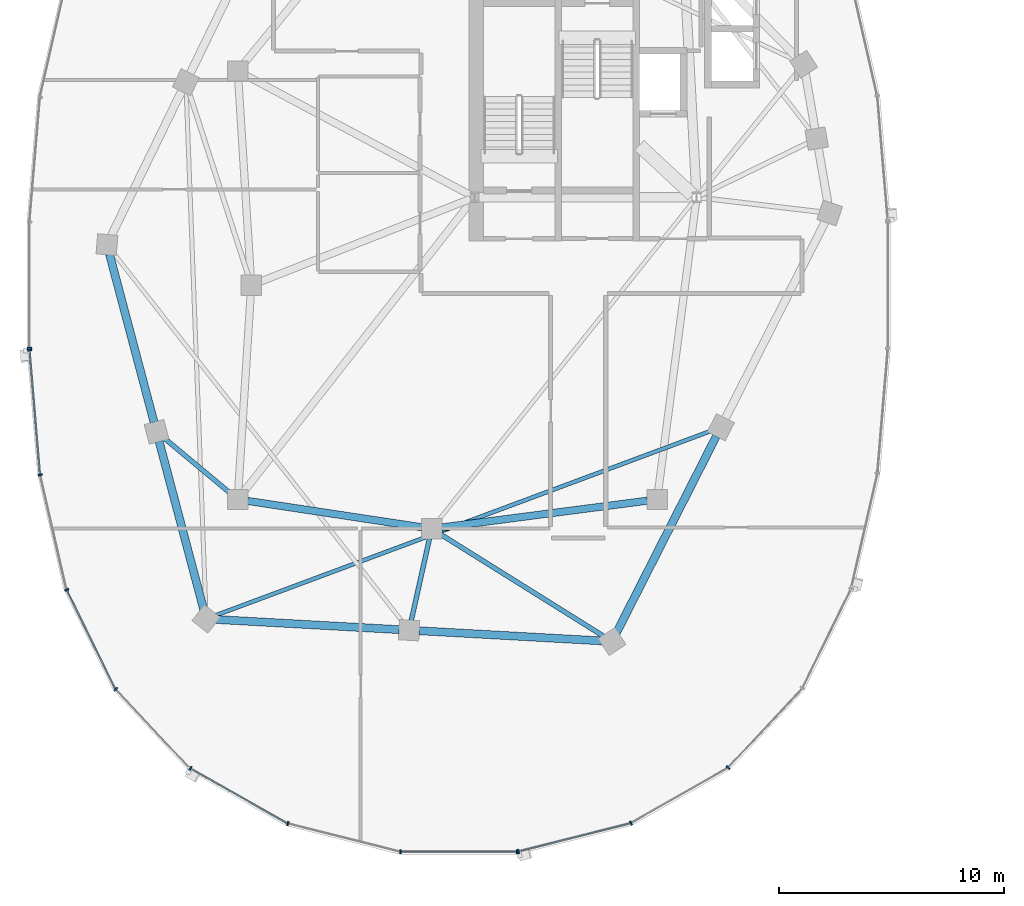
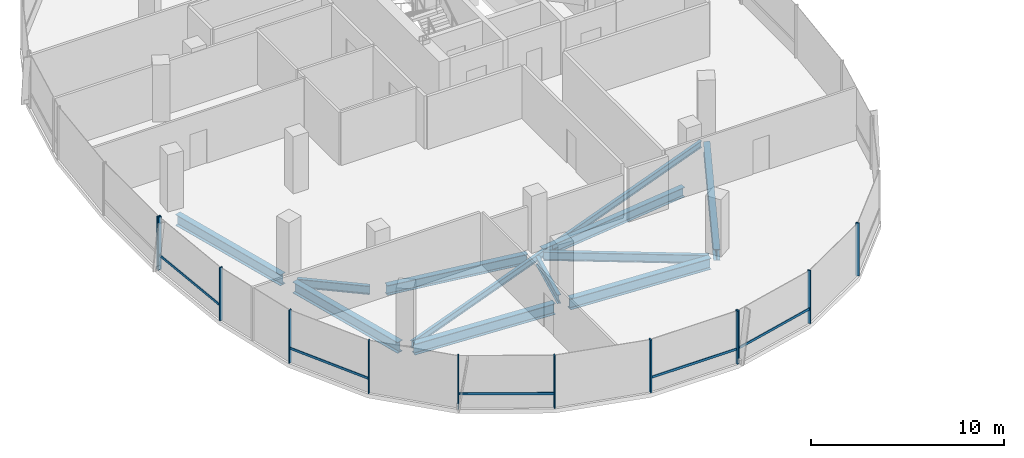
# One storey, part 3 of 25: 17 members, 11 beams, 3 elements without a shape of their own.
"""IFC4 building model written with IfcOpenShell, lengths in metres."""

from ifc_helpers import new_model, si_unit, direction, frame, origin, origin_2d, place, context, subcontext, project, spatial, rectangle, i_section, extrude, material, material_profile, profile_set, type_object, element, aggregate, save


model = new_model("IFC4")

# Units and contexts
model_context = context("Model", 3, precision=1e-05, world=origin(), true_north=direction((0.0, 1.0)))
body_context = subcontext(model_context, "Body", "Model", "MODEL_VIEW")
ifc_project = project(units=[si_unit("LENGTHUNIT", "METRE"), si_unit("AREAUNIT", "SQUARE_METRE"), si_unit("VOLUMEUNIT", "CUBIC_METRE"), si_unit("PLANEANGLEUNIT", "RADIAN"), si_unit("MASSUNIT", "GRAM", prefix="KILO"), si_unit("THERMODYNAMICTEMPERATUREUNIT", "KELVIN"), si_unit("POWERUNIT", "WATT")], contexts=[model_context])

# Site, building, storey
site_placement = place(None, origin())
site = spatial("IfcSite", under=ifc_project, at=site_placement, CompositionType="ELEMENT")
building_placement = place(site_placement, origin())
building = spatial("IfcBuilding", under=site, at=building_placement, Name="Cundina Bronze Exchange", CompositionType="ELEMENT")
storey_placement = place(building_placement, frame((0.0, 0.0, 213.39990234375)))
storey = spatial("IfcBuildingStorey", under=building, at=storey_placement, Name="L56", CompositionType="ELEMENT", Elevation=213.39990234375)

# Beams
ifc_material_1 = material(Name="Steel ASTM A992 Grade 50", Category="steel")
ifc_material_profile_1 = material_profile(ifc_material_1, i_section(OverallWidth=0.2119140625, OverallDepth=0.5439453125, WebThickness=0.01318359375, FlangeThickness=0.021240234375, FilletRadius=0.013916015625, at=origin_2d()), Name="W21X83", Category="steel")
ifc_profile_set_1 = profile_set([ifc_material_profile_1], Name="Steel ASTM A992 Grade 50")
beam_type_1 = type_object("IfcBeamType", Name="BM-FLR-W21A", PredefinedType="BEAM", material=ifc_profile_set_1)
beam_1_placement = place(storey_placement, frame((-42.136474609375, -9.219482421875, -0.531982421875), z_axis=(-0.768247540987, 0.640152884683, 0.0), x_axis=(-0.640152884683, -0.768247540987, 0.0)))
element("IfcBeam", 1, at=beam_1_placement, inside=storey, type_object=beam_type_1, Name="L56 Leg W Radial Floor Beam 09", PredefinedType="BEAM", context=body_context, shape_type="SweptSolid", body=[
    extrude(i_section(OverallWidth=0.2119140625, OverallDepth=0.5439453125, WebThickness=0.01318359375, FlangeThickness=0.021240234375, FilletRadius=0.013916015625, at=origin_2d()), origin(), (0.0, 0.0, 1.0), 3.81005859375),
])
beam_2_placement = place(storey_placement, frame((-33.294921875, -11.2275390625, -0.531982421875), z_axis=(-0.216958151571, -0.976180905605, 0.0), x_axis=(0.976180905605, -0.216958151571, 0.0)))
element("IfcBeam", 2, at=beam_2_placement, inside=storey, type_object=beam_type_1, Name="L56 Leg W Radial Floor Beam 11", PredefinedType="BEAM", context=body_context, shape_type="SweptSolid", body=[
    extrude(i_section(OverallWidth=0.2119140625, OverallDepth=0.5439453125, WebThickness=0.01318359375, FlangeThickness=0.021240234375, FilletRadius=0.013916015625, at=origin_2d()), origin(), (0.0, 0.0, 1.0), 3.733642578125),
])
beam_3_placement = place(storey_placement, frame((-32.82861328125, -11.031982421875, -0.531982421875), z_axis=(0.847995098703, -0.530004068452, 0.0), x_axis=(0.530004068452, 0.847995098703, 0.0)))
element("IfcBeam", 3, at=beam_3_placement, inside=storey, type_object=beam_type_1, Name="L56 Leg W Radial Floor Beam 12", PredefinedType="BEAM", context=body_context, shape_type="SweptSolid", body=[
    extrude(i_section(OverallWidth=0.2119140625, OverallDepth=0.5439453125, WebThickness=0.01318359375, FlangeThickness=0.021240234375, FilletRadius=0.013916015625, at=origin_2d()), origin(), (0.0, 0.0, 1.0), 8.55810546875),
])
ifc_material_profile_2 = material_profile(ifc_material_1, i_section(OverallWidth=0.178955078125, OverallDepth=0.409912109375, WebThickness=0.0087890625, FlangeThickness=0.014404296875, FilletRadius=0.010986328125, at=origin_2d()), Name="W16X45", Category="steel")
ifc_profile_set_2 = profile_set([ifc_material_profile_2], Name="Steel ASTM A992 Grade 50")
beam_type_2 = type_object("IfcBeamType", Name="BM-JST-W16", PredefinedType="JOIST", material=ifc_profile_set_2)
beam_4_placement = place(storey_placement, frame((-42.78955078125, -14.647216796875, -0.46484375), z_axis=(0.937127927239, 0.348986028358, 0.0), x_axis=(-0.348986028358, 0.937127927239, 0.0)))
element("IfcBeam", 4, at=beam_4_placement, inside=storey, type_object=beam_type_2, Name="L56 Leg W Lobe Floor Joist 10-13", PredefinedType="JOIST", context=body_context, shape_type="SweptSolid", body=[
    extrude(i_section(OverallWidth=0.178955078125, OverallDepth=0.409912109375, WebThickness=0.0087890625, FlangeThickness=0.014404296875, FilletRadius=0.010986328125, at=origin_2d()), origin(), (0.0, 0.0, 1.0), 23.48046875),
])
ifc_material_profile_3 = material_profile(ifc_material_1, i_section(OverallWidth=0.324951171875, OverallDepth=0.615966796875, WebThickness=0.013916015625, FlangeThickness=0.021484375, FilletRadius=0.01611328125, at=origin_2d()), Name="W24X117", Category="steel")
ifc_profile_set_3 = profile_set([ifc_material_profile_3], Name="Steel ASTM A992 Grade 50")
beam_type_3 = type_object("IfcBeamType", Name="BM-RING-W24", PredefinedType="USERDEFINED", material=ifc_profile_set_3)
beam_5_placement = place(storey_placement, frame((-41.366943359375, -9.5654296875, -0.56787109375), z_axis=(0.988764903598, -0.149478979839, 0.0), x_axis=(0.149478979839, 0.988764903598, 0.0)))
element("IfcBeam", 5, at=beam_5_placement, inside=storey, type_object=beam_type_3, Name="L56 W Inner Structural Ring Girder 05", ObjectType="GIRDER", PredefinedType="USERDEFINED", context=body_context, shape_type="SweptSolid", body=[
    extrude(i_section(OverallWidth=0.324951171875, OverallDepth=0.615966796875, WebThickness=0.013916015625, FlangeThickness=0.021484375, FilletRadius=0.01611328125, at=origin_2d()), origin(), (0.0, 0.0, 1.0), 7.82177734375),
])
beam_6_placement = place(storey_placement, frame((-32.765625, -10.743408203125, -0.56787109375), z_axis=(0.991656498582, 0.128908451316, 0.0), x_axis=(-0.128908451316, 0.991656498582, 0.0)))
element("IfcBeam", 6, at=beam_6_placement, inside=storey, type_object=beam_type_3, Name="L56 W Inner Structural Ring Girder 06", ObjectType="GIRDER", PredefinedType="USERDEFINED", context=body_context, shape_type="SweptSolid", body=[
    extrude(i_section(OverallWidth=0.324951171875, OverallDepth=0.615966796875, WebThickness=0.013916015625, FlangeThickness=0.021484375, FilletRadius=0.01611328125, at=origin_2d()), origin(), (0.0, 0.0, 1.0), 9.208251953125),
])
ifc_material_profile_4 = material_profile(ifc_material_1, i_section(OverallWidth=0.35498046875, OverallDepth=0.695068359375, WebThickness=0.015380859375, FlangeThickness=0.02490234375, FilletRadius=0.01806640625, at=origin_2d()), Name="W27X146", Category="steel")
ifc_profile_set_4 = profile_set([ifc_material_profile_4], Name="Steel ASTM A992 Grade 50")
beam_type_4 = type_object("IfcBeamType", Name="BM-RING-W27", PredefinedType="USERDEFINED", material=ifc_profile_set_4)
for number, where, z_axis, x_axis, name in (
    (7, (-47.48779296875, 1.376708984375, -0.607421875), (0.256211934474, -0.966620631185, 0.0), (0.966620631185, 0.256211934474, 0.0), "L56 W Perimeter Ring Girder 08"),
    (8, (-45.287841796875, -6.92333984375, -0.607421875), (0.256211934474, -0.966620631185, 0.0), (0.966620631185, 0.256211934474, 0.0), "L56 W Perimeter Ring Girder 09"),
):
    element("IfcBeam", number, at=place(storey_placement, frame(where, z_axis=z_axis, x_axis=x_axis)), inside=storey, type_object=beam_type_4, Name=name, ObjectType="GIRDER", PredefinedType="USERDEFINED", context=body_context, shape_type="SweptSolid", body=[
        extrude(i_section(OverallWidth=0.35498046875, OverallDepth=0.695068359375, WebThickness=0.015380859375, FlangeThickness=0.02490234375, FilletRadius=0.01806640625, at=origin_2d()), origin(), (0.0, 0.0, 1.0), 7.710693359375),
    ])
for number, where, z_axis, x_axis, name in (
    (9, (-42.7626953125, -14.82421875, -0.607421875), (0.998460353205, -0.055470019623, 0.0), (0.055470019623, 0.998460353205, 0.0), "L56 W Perimeter Ring Girder 10"),
    (10, (-33.7626953125, -15.32421875, -0.607421875), (0.998460353205, -0.055470019623, 0.0), (0.055470019623, 0.998460353205, 0.0), "L56 W Perimeter Ring Girder 11"),
):
    element("IfcBeam", number, at=place(storey_placement, frame(where, z_axis=z_axis, x_axis=x_axis)), inside=storey, type_object=beam_type_4, Name=name, ObjectType="GIRDER", PredefinedType="USERDEFINED", context=body_context, shape_type="SweptSolid", body=[
        extrude(i_section(OverallWidth=0.35498046875, OverallDepth=0.695068359375, WebThickness=0.015380859375, FlangeThickness=0.02490234375, FilletRadius=0.01806640625, at=origin_2d()), origin(), (0.0, 0.0, 1.0), 8.137939453125),
    ])
beam_7_placement = place(storey_placement, frame((-25.001708984375, -15.409423828125, -0.607421875), z_axis=(0.452846871434, 0.891588308039, 0.0), x_axis=(-0.891588308039, 0.452846871434, 0.0)))
element("IfcBeam", 11, at=beam_7_placement, inside=storey, type_object=beam_type_4, Name="L56 W Perimeter Ring Girder 12", ObjectType="GIRDER", PredefinedType="USERDEFINED", context=body_context, shape_type="SweptSolid", body=[
    extrude(i_section(OverallWidth=0.35498046875, OverallDepth=0.695068359375, WebThickness=0.015380859375, FlangeThickness=0.02490234375, FilletRadius=0.01806640625, at=origin_2d()), origin(), (0.0, 0.0, 1.0), 9.779052734375),
])

# Curtain wall, member
ifc_material_2 = material(Name="Anodised Bronze Aluminium 6063-T6", Category="aluminium")
curtain_wall_type = type_object("IfcCurtainWallType", Name="CWS-UPP-OFF", PredefinedType="NOTDEFINED", material=ifc_material_2)
curtain_wall_1_placement = place(storey_placement, origin())
curtain_wall_1 = element("IfcCurtainWall", 12, at=curtain_wall_1_placement, inside=storey, type_object=curtain_wall_type, Name="L56 CW-05 Curtain Wall Run CWR-L56-W2", PredefinedType="NOTDEFINED")
ifc_material_profile_5 = material_profile(ifc_material_2, rectangle(XDim=0.070068359375, YDim=0.18994140625, at=origin_2d()), Name="AL70X190", Category="aluminium")
ifc_profile_set_5 = profile_set([ifc_material_profile_5], Name="Anodised Bronze Aluminium 6063-T6")
member_type_1 = type_object("IfcMemberType", Name="CWM-MUL-190", PredefinedType="MULLION", material=ifc_profile_set_5)
member_1_placement = place(storey_placement, frame((-51.033935546875, -2.794921875, 0.0), z_axis=(0.0, 0.0, 1.0), x_axis=(0.0, -1.0, 0.0)))
member_1 = element("IfcMember", 13, at=member_1_placement, type_object=member_type_1, Name="CW-05 End Mullion", PredefinedType="MULLION", context=body_context, shape_type="SweptSolid", body=[
    extrude(rectangle(XDim=0.070068359375, YDim=0.18994140625, at=origin_2d()), origin(), (0.0, 0.0, 1.0), 3.340087890625),
])
aggregate(curtain_wall_1, [member_1])

# Curtain wall, members
curtain_wall_2_placement = place(storey_placement, origin())
curtain_wall_2 = element("IfcCurtainWall", 14, at=curtain_wall_2_placement, inside=storey, type_object=curtain_wall_type, Name="L56 CW-05 Curtain Wall Run CWR-L56-W3", PredefinedType="NOTDEFINED")
member_2_placement = place(storey_placement, frame((-51.0302734375, -2.88330078125, 0.0), z_axis=(0.0, 0.0, 1.0), x_axis=(0.083677843332, -0.99649285925, 0.0)))
member_2 = element("IfcMember", 15, at=member_2_placement, type_object=member_type_1, Name="CW-05 Mullion 1", PredefinedType="MULLION", context=body_context, shape_type="SweptSolid", body=[
    extrude(rectangle(XDim=0.070068359375, YDim=0.18994140625, at=origin_2d()), origin(), (0.0, 0.0, 1.0), 3.340087890625),
])
member_3_placement = place(storey_placement, frame((-50.56005859375, -8.4111328125, 0.0), z_axis=(0.0, 0.0, 1.0), x_axis=(0.223250116011, -0.974761194191, 0.0)))
member_3 = element("IfcMember", 16, at=member_3_placement, type_object=member_type_1, Name="CW-05 Mullion 2", PredefinedType="MULLION", context=body_context, shape_type="SweptSolid", body=[
    extrude(rectangle(XDim=0.070068359375, YDim=0.18994140625, at=origin_2d()), origin(), (0.0, 0.0, 1.0), 3.340087890625),
])
member_4_placement = place(storey_placement, frame((-49.38427734375, -13.50732421875, 0.0), z_axis=(0.0, 0.0, 1.0), x_axis=(0.440566004113, -0.897720221461, 0.0)))
member_4 = element("IfcMember", 17, at=member_4_placement, type_object=member_type_1, Name="CW-05 Mullion 3", PredefinedType="MULLION", context=body_context, shape_type="SweptSolid", body=[
    extrude(rectangle(XDim=0.070068359375, YDim=0.18994140625, at=origin_2d()), origin(), (0.0, 0.0, 1.0), 3.340087890625),
])
member_5_placement = place(storey_placement, frame((-47.209716796875, -17.91796875, 0.0), z_axis=(0.0, 0.0, 1.0), x_axis=(0.684292606175, -0.729207535023, 0.0)))
member_5 = element("IfcMember", 18, at=member_5_placement, type_object=member_type_1, Name="CW-05 Mullion 4", PredefinedType="MULLION", context=body_context, shape_type="SweptSolid", body=[
    extrude(rectangle(XDim=0.070068359375, YDim=0.18994140625, at=origin_2d()), origin(), (0.0, 0.0, 1.0), 3.340087890625),
])
member_6_placement = place(storey_placement, frame((-43.899658203125, -21.43115234375, 0.0), z_axis=(0.0, 0.0, 1.0), x_axis=(0.86958112538, -0.493790103568, 0.0)))
member_6 = element("IfcMember", 19, at=member_6_placement, type_object=member_type_1, Name="CW-05 Mullion 5", PredefinedType="MULLION", context=body_context, shape_type="SweptSolid", body=[
    extrude(rectangle(XDim=0.070068359375, YDim=0.18994140625, at=origin_2d()), origin(), (0.0, 0.0, 1.0), 3.340087890625),
])
member_7_placement = place(storey_placement, frame((-39.577392578125, -23.87548828125, 0.0), z_axis=(0.0, 0.0, 1.0), x_axis=(0.969744325821, -0.244122802168, 0.0)))
member_7 = element("IfcMember", 20, at=member_7_placement, type_object=member_type_1, Name="CW-05 Mullion 6", PredefinedType="MULLION", context=body_context, shape_type="SweptSolid", body=[
    extrude(rectangle(XDim=0.070068359375, YDim=0.18994140625, at=origin_2d()), origin(), (0.0, 0.0, 1.0), 3.340087890625),
])
member_8_placement = place(storey_placement, frame((-34.580078125, -25.125, 0.0), z_axis=(0.0, 0.0, 1.0), x_axis=(1.0, 0.0, 0.0)))
member_8 = element("IfcMember", 21, at=member_8_placement, type_object=member_type_1, Name="CW-05 Mullion 7", PredefinedType="MULLION", context=body_context, shape_type="SweptSolid", body=[
    extrude(rectangle(XDim=0.070068359375, YDim=0.18994140625, at=origin_2d()), origin(), (0.0, 0.0, 1.0), 3.340087890625),
])
member_9_placement = place(storey_placement, frame((-29.419921875, -25.125, 0.0), z_axis=(0.0, 0.0, 1.0), x_axis=(1.0, 0.0, 0.0)))
member_9 = element("IfcMember", 22, at=member_9_placement, type_object=member_type_1, Name="CW-05 End Mullion", PredefinedType="MULLION", context=body_context, shape_type="SweptSolid", body=[
    extrude(rectangle(XDim=0.070068359375, YDim=0.18994140625, at=origin_2d()), origin(), (0.0, 0.0, 1.0), 3.340087890625),
])

curtain_wall_3_placement = place(storey_placement, origin())
curtain_wall_3 = element("IfcCurtainWall", 23, at=curtain_wall_3_placement, inside=storey, type_object=curtain_wall_type, Name="L56 CW-05 Curtain Wall Run CWR-L56-W4", PredefinedType="NOTDEFINED")
member_10_placement = place(storey_placement, frame((-29.3515625, -25.116455078125, 0.0), z_axis=(0.0, 0.0, 1.0), x_axis=(0.969744325821, 0.244122802168, 0.0)))
member_10 = element("IfcMember", 24, at=member_10_placement, type_object=member_type_1, Name="CW-05 Mullion 1", PredefinedType="MULLION", context=body_context, shape_type="SweptSolid", body=[
    extrude(rectangle(XDim=0.070068359375, YDim=0.18994140625, at=origin_2d()), origin(), (0.0, 0.0, 1.0), 3.340087890625),
])
member_11_placement = place(storey_placement, frame((-24.361083984375, -23.850830078125, 0.0), z_axis=(0.0, 0.0, 1.0), x_axis=(0.86958112538, 0.493790103568, 0.0)))
member_11 = element("IfcMember", 25, at=member_11_placement, type_object=member_type_1, Name="CW-05 Mullion 2", PredefinedType="MULLION", context=body_context, shape_type="SweptSolid", body=[
    extrude(rectangle(XDim=0.070068359375, YDim=0.18994140625, at=origin_2d()), origin(), (0.0, 0.0, 1.0), 3.340087890625),
])
member_12_placement = place(storey_placement, frame((-20.05126953125, -21.392578125, 0.0), z_axis=(0.0, 0.0, 1.0), x_axis=(0.684292606175, 0.729207535023, 0.0)))
member_12 = element("IfcMember", 26, at=member_12_placement, type_object=member_type_1, Name="CW-05 Mullion 3", PredefinedType="MULLION", context=body_context, shape_type="SweptSolid", body=[
    extrude(rectangle(XDim=0.070068359375, YDim=0.18994140625, at=origin_2d()), origin(), (0.0, 0.0, 1.0), 3.340087890625),
])

# Member
ifc_material_profile_6 = material_profile(ifc_material_2, rectangle(XDim=0.06494140625, YDim=0.14990234375, at=origin_2d()), Name="AL65X150", Category="aluminium")
ifc_profile_set_6 = profile_set([ifc_material_profile_6], Name="Anodised Bronze Aluminium 6063-T6")
member_type_2 = type_object("IfcMemberType", Name="CWM-TRN-150", PredefinedType="USERDEFINED", material=ifc_profile_set_6)
member_13_placement = place(storey_placement, frame((-51.027099609375, -2.921630859375, 0.920166015625), z_axis=(0.083740331158, -0.996487610027, 0.0), x_axis=(0.996487610027, 0.083740331158, 0.0)))
member_13 = element("IfcMember", 27, at=member_13_placement, type_object=member_type_2, Name="CW-05 Spandrel Transom 1", ObjectType="TRANSOM", PredefinedType="USERDEFINED", context=body_context, shape_type="SweptSolid", body=[
    extrude(rectangle(XDim=0.06494140625, YDim=0.14990234375, at=origin_2d()), origin(), (0.0, 0.0, 1.0), 5.466552734375),
])

member_14_placement = place(storey_placement, frame((-49.3671875, -13.5419921875, 0.920166015625), z_axis=(0.440483110889, -0.897760897467, 0.0), x_axis=(0.897760897467, 0.440483110889, 0.0)))
member_14 = element("IfcMember", 28, at=member_14_placement, type_object=member_type_2, Name="CW-05 Spandrel Transom 3", ObjectType="TRANSOM", PredefinedType="USERDEFINED", context=body_context, shape_type="SweptSolid", body=[
    extrude(rectangle(XDim=0.06494140625, YDim=0.14990234375, at=origin_2d()), origin(), (0.0, 0.0, 1.0), 4.855224609375),
])

member_15_placement = place(storey_placement, frame((-43.8662109375, -21.4501953125, 0.920166015625), z_axis=(0.869573748083, -0.493803095013, 0.0), x_axis=(0.493803095013, 0.869573748083, 0.0)))
member_15 = element("IfcMember", 29, at=member_15_placement, type_object=member_type_2, Name="CW-05 Spandrel Transom 5", ObjectType="TRANSOM", PredefinedType="USERDEFINED", context=body_context, shape_type="SweptSolid", body=[
    extrude(rectangle(XDim=0.06494140625, YDim=0.14990234375, at=origin_2d()), origin(), (0.0, 0.0, 1.0), 4.900146484375),
])

member_16_placement = place(storey_placement, frame((-34.54150390625, -25.125, 0.920166015625), z_axis=(1.0, 0.0, 0.0), x_axis=(0.0, 1.0, 0.0)))
member_16 = element("IfcMember", 30, at=member_16_placement, type_object=member_type_2, Name="CW-05 Spandrel Transom 7", ObjectType="TRANSOM", PredefinedType="USERDEFINED", context=body_context, shape_type="SweptSolid", body=[
    extrude(rectangle(XDim=0.06494140625, YDim=0.14990234375, at=origin_2d()), origin(), (0.0, 0.0, 1.0), 5.0830078125),
])

aggregate(curtain_wall_2, [member_2, member_13, member_3, member_4, member_14, member_5, member_6, member_15, member_7, member_8, member_9, member_16])

member_17_placement = place(storey_placement, frame((-29.314208984375, -25.107177734375, 0.920166015625), z_axis=(0.969725738797, 0.244196624699, 0.0), x_axis=(-0.244196624699, 0.969725738797, 0.0)))
member_17 = element("IfcMember", 31, at=member_17_placement, type_object=member_type_2, Name="CW-05 Spandrel Transom 1", ObjectType="TRANSOM", PredefinedType="USERDEFINED", context=body_context, shape_type="SweptSolid", body=[
    extrude(rectangle(XDim=0.06494140625, YDim=0.14990234375, at=origin_2d()), origin(), (0.0, 0.0, 1.0), 5.082763671875),
])

aggregate(curtain_wall_3, [member_10, member_17, member_11, member_12])

save(model, "model.ifc")
